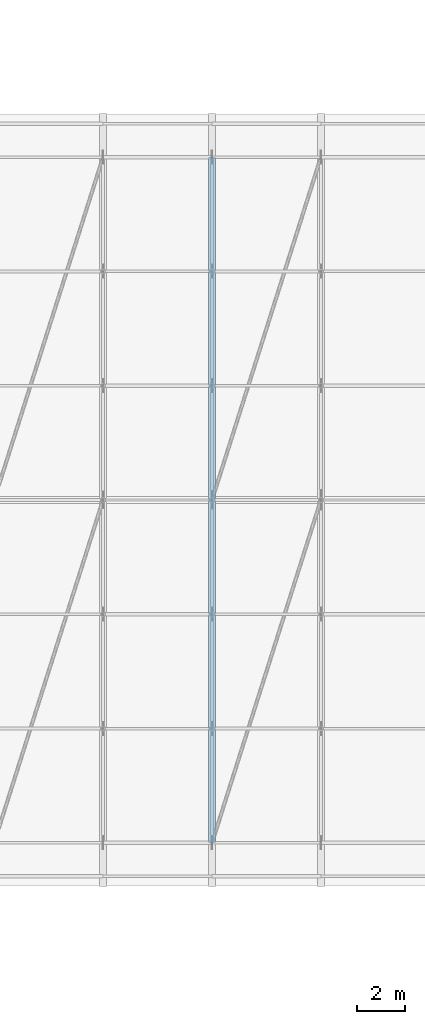
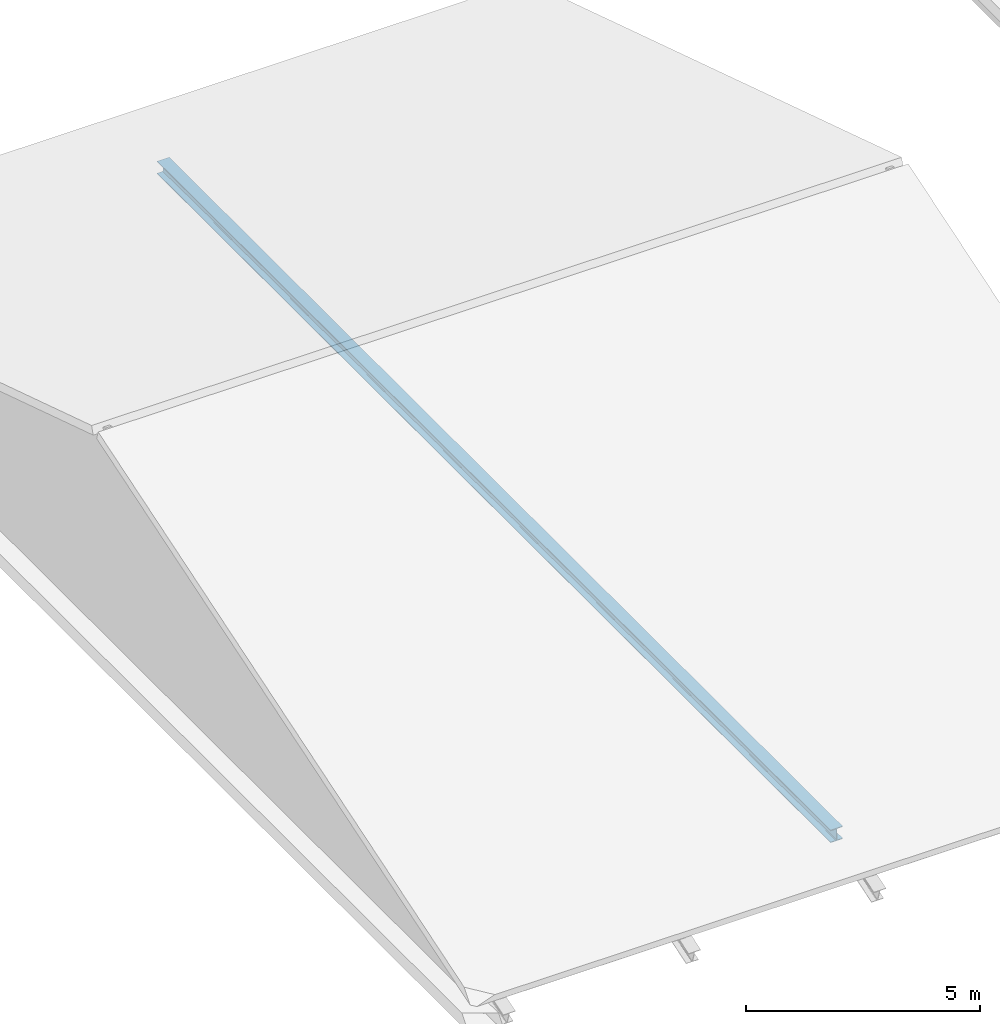
# One storey, part 26 of 134: 1 member.
"""IFC4 building model written with IfcOpenShell, lengths in metres."""

import ifcopenshell
import ifcopenshell.guid

model = None  # the IFC model being written
_history = None  # IfcOwnerHistory: only IFC2X3 demands one
_inside = {}  # id of a spatial element -> (the spatial element, [elements in it])
_under = {}  # id of a project, library or spatial element -> (it, [spatial elements below it])
_declared = {}  # id of a project -> (the project, [libraries it declares])
_typed = {}  # id of a type object -> (the type object, [elements of that type])
_made_of = {}  # id of a material, layer set ... -> (it, [elements and type objects made of it])


def new_model(schema):
    """Start an empty IFC model of exactly this schema.

    Asked for "IFC4X3", IfcOpenShell would pick the latest addendum, in which some entities
    have other attributes; the version numbers below select the first issue.
    IFC2X3 requires an IfcOwnerHistory on every rooted entity: one is made here for all.
    """
    global model, _history
    if schema == "IFC4X3":
        model = ifcopenshell.file(schema_version=(4, 3, 0, 0))
    else:
        model = ifcopenshell.file(schema=schema)
    _inside.clear()
    _under.clear()
    _declared.clear()
    _typed.clear()
    _made_of.clear()
    _history = None
    if model.schema == "IFC2X3":
        org = make("IfcOrganization", Name="unknown")
        user = make(
            "IfcPersonAndOrganization",
            ThePerson=make("IfcPerson", FamilyName="unknown"),
            TheOrganization=org,
        )
        app = make(
            "IfcApplication",
            ApplicationDeveloper=org,
            Version="unknown",
            ApplicationFullName="unknown",
            ApplicationIdentifier="unknown",
        )
        _history = make(
            "IfcOwnerHistory",
            OwningUser=user,
            OwningApplication=app,
            ChangeAction="ADDED",
            CreationDate=0,
        )
    return model


def make(cls, **values):
    """One entity of the class cls with the attributes given. An attribute that is None is left unset."""
    return model.create_entity(
        cls, **{name: value for name, value in values.items() if value is not None}
    )


def rooted(cls, **values):
    """An entity with a GlobalId (a new one), such as an element, a storey or a relation."""
    return make(cls, GlobalId=ifcopenshell.guid.new(), OwnerHistory=_history, **values)


def si_unit(unit_type, name, prefix=None):
    """IfcSIUnit, for example si_unit("LENGTHUNIT", "METRE", prefix="MILLI")."""
    return make("IfcSIUnit", UnitType=unit_type, Prefix=prefix, Name=name)


def assignment(units):
    """IfcUnitAssignment: the units of a project."""
    return None if units is None else make("IfcUnitAssignment", Units=units)


def point(xyz):
    """IfcCartesianPoint."""
    return None if xyz is None else make("IfcCartesianPoint", Coordinates=xyz)


def direction(xyz):
    """IfcDirection."""
    return None if xyz is None else make("IfcDirection", DirectionRatios=xyz)


def frame(location, z_axis=None, x_axis=None):
    """IfcAxis2Placement3D, a coordinate frame: its origin and axes. An axis left out is left unset."""
    return make(
        "IfcAxis2Placement3D",
        Location=point(location),
        Axis=direction(z_axis),
        RefDirection=direction(x_axis),
    )


def frame_2d(location, x_axis=None):
    """IfcAxis2Placement2D, a coordinate frame in the plane: its origin and x axis."""
    return make(
        "IfcAxis2Placement2D", Location=point(location), RefDirection=direction(x_axis)
    )


def origin():
    """The frame at (0, 0, 0) with its axes left unset."""
    return frame((0.0, 0.0, 0.0))


def origin_2d():
    """The frame at (0, 0) in the plane with its x axis left unset."""
    return frame_2d((0.0, 0.0))


def place(relative_to, where):
    """IfcLocalPlacement: puts the frame where relative to a parent placement (None: the world)."""
    return make(
        "IfcLocalPlacement", PlacementRelTo=relative_to, RelativePlacement=where
    )


def context(
    kind, dimensions, precision=None, world=None, true_north=None, identifier=None
):
    """IfcGeometricRepresentationContext, for example the 3D "Model" context."""
    return make(
        "IfcGeometricRepresentationContext",
        ContextIdentifier=identifier,
        ContextType=kind,
        CoordinateSpaceDimension=dimensions,
        Precision=precision,
        WorldCoordinateSystem=world,
        TrueNorth=true_north,
    )


def subcontext(parent, identifier, kind, view, scale=None):
    """IfcGeometricRepresentationSubContext, for example "Body" below "Model"."""
    return make(
        "IfcGeometricRepresentationSubContext",
        ContextIdentifier=identifier,
        ContextType=kind,
        ParentContext=parent,
        TargetScale=scale,
        TargetView=view,
    )


def project(units=None, contexts=None):
    """IfcProject with its units and contexts."""
    return rooted(
        "IfcProject",
        Name="project",
        RepresentationContexts=contexts,
        UnitsInContext=assignment(units),
    )


def spatial(cls, under=None, at=None, **own):
    """A site, building, storey or space (cls), placed at a placement, below another one or the project."""
    s = rooted(cls, ObjectPlacement=at, **own)
    if under is not None:
        _under.setdefault(under.id(), (under, []))[1].append(s)
    return s


def profile(cls, at=None, kind="AREA", **sizes):
    """A parametric profile (cls). Its sizes go by their IFC names, for example OverallWidth=200.0."""
    return make(cls, ProfileType=kind, Position=at, **sizes)


def i_section(**sizes):
    """IfcIShapeProfileDef."""
    return profile("IfcIShapeProfileDef", **sizes)


def extrude(swept, where, along, depth):
    """IfcExtrudedAreaSolid: the profile swept, set in the frame where, extruded along a direction by depth."""
    return make(
        "IfcExtrudedAreaSolid",
        SweptArea=swept,
        Position=where,
        ExtrudedDirection=direction(along),
        Depth=depth,
    )


def shape(context_of_items, identifier, shape_type, items):
    """IfcShapeRepresentation: the items that make up one representation, for example the "Body"."""
    return make(
        "IfcShapeRepresentation",
        ContextOfItems=context_of_items,
        RepresentationIdentifier=identifier,
        RepresentationType=shape_type,
        Items=items,
    )


def material(Name=None, Category=None):
    """IfcMaterial."""
    return make("IfcMaterial", Name=Name, Category=Category)


def material_profile(
    of_material, cross_section, Name=None, Category=None, Priority=None
):
    """IfcMaterialProfile: a cross section and its material."""
    return make(
        "IfcMaterialProfile",
        Name=Name,
        Material=of_material,
        Profile=cross_section,
        Priority=Priority,
        Category=Category,
    )


def profile_set(profiles, Name=None, composite=None):
    """IfcMaterialProfileSet."""
    return make(
        "IfcMaterialProfileSet",
        Name=Name,
        MaterialProfiles=profiles,
        CompositeProfile=composite,
    )


def made_of(thing, what):
    """Note that an element or type object is made of a material, layer set ...; save() writes the relation."""
    if what is not None:
        _made_of.setdefault(what.id(), (what, []))[1].append(thing)
    return thing


def type_object(cls, material=None, **own):
    """A type object (cls), such as IfcWallType, which elements share."""
    return made_of(rooted(cls, **own), material)


def element(
    cls,
    number,
    at=None,
    inside=None,
    cuts=None,
    type_object=None,
    material=None,
    context=None,
    identifier="Body",
    shape_type=None,
    held_by="IfcProductDefinitionShape",
    body=None,
    shapes=None,
    **own,
):
    """One element of the class cls, such as IfcWall. Its Tag is "e" and its number.

    at: its placement. inside: the storey or other place that contains it. cuts: it is an
    opening in that element (IfcRelVoidsElement). A single representation is given by context,
    identifier, shape_type and body (its items); several are given by shapes. held_by: the class
    of the entity that holds the representations. save() writes the other relations.
    """
    e = rooted(cls, Tag="e%d" % number, ObjectPlacement=at, **own)
    if body is not None:
        shapes = [shape(context, identifier, shape_type, body)]
    if shapes is not None:
        e.Representation = make(held_by, Representations=shapes)
    if inside is not None:
        _inside.setdefault(inside.id(), (inside, []))[1].append(e)
    if cuts is not None:
        rooted(
            "IfcRelVoidsElement", RelatingBuildingElement=cuts, RelatedOpeningElement=e
        )
    if type_object is not None:
        _typed.setdefault(type_object.id(), (type_object, []))[1].append(e)
    return made_of(e, material)


def aggregate(whole, parts):
    """IfcRelAggregates: a whole, such as a stair, and the parts it consists of."""
    return rooted("IfcRelAggregates", RelatingObject=whole, RelatedObjects=parts)


def save(model, path):
    """Write the relations noted so far, then the file.

    IfcRelAggregates (storeys below a building ...), IfcRelContainedInSpatialStructure (elements
    in a storey), IfcRelDefinesByType, IfcRelAssociatesMaterial and IfcRelDeclares: one each for
    every whole, place, type object, material and project.
    """
    for whole, parts in _under.values():
        aggregate(whole, parts)
    for where, things in _inside.values():
        rooted(
            "IfcRelContainedInSpatialStructure",
            RelatedElements=things,
            RelatingStructure=where,
        )
    for kind, things in _typed.values():
        rooted("IfcRelDefinesByType", RelatedObjects=things, RelatingType=kind)
    for what, things in _made_of.values():
        rooted("IfcRelAssociatesMaterial", RelatedObjects=things, RelatingMaterial=what)
    for by, libraries in _declared.values():
        rooted("IfcRelDeclares", RelatingContext=by, RelatedDefinitions=libraries)
    model.write(path)


model = new_model("IFC4")

# Units and contexts
model_context = context("Model", 3, precision=1e-05, world=origin(), true_north=direction((0.0, 1.0)))
body_context = subcontext(model_context, "Body", "Model", "MODEL_VIEW")
ifc_project = project(units=[si_unit("LENGTHUNIT", "METRE"), si_unit("AREAUNIT", "SQUARE_METRE"), si_unit("VOLUMEUNIT", "CUBIC_METRE"), si_unit("PLANEANGLEUNIT", "RADIAN"), si_unit("MASSUNIT", "GRAM", prefix="KILO")], contexts=[model_context])

# Site, building, storey
site_placement = place(None, origin())
site = spatial("IfcSite", under=ifc_project, at=site_placement, CompositionType="ELEMENT")
building_placement = place(site_placement, origin())
building = spatial("IfcBuilding", under=site, at=building_placement, Name="Asteropetra Specialist Clinic", CompositionType="ELEMENT")
storey_placement = place(building_placement, frame((0.0, 0.0, 8.5)))
storey = spatial("IfcBuildingStorey", under=building, at=storey_placement, Name="L02", CompositionType="ELEMENT", Elevation=8.5)

# Member
ifc_material = material(Name="Steel S355", Category="steel")
ifc_material_profile = material_profile(ifc_material, i_section(OverallWidth=0.300048828125, OverallDepth=0.330078125, WebThickness=0.009521484375, FlangeThickness=0.0166015625, FilletRadius=0.027099609375, at=origin_2d()), Name="HEA 340")
ifc_profile_set = profile_set([ifc_material_profile], Name="Steel S355")
member_type = type_object("IfcMemberType", Name="TR-CHD-HEA340", PredefinedType="CHORD", material=ifc_profile_set)
member_placement = place(storey_placement, frame((86.39990234375, 33.60009765625, 0.364990234375), z_axis=(0.0, 1.0, 0.0), x_axis=(-1.0, 0.0, 0.0)))
element("IfcMember", 1, at=member_placement, inside=storey, type_object=member_type, Name="Truss Bottom Chord TRV3-BC03", PredefinedType="CHORD", context=body_context, shape_type="SweptSolid", body=[
    extrude(i_section(OverallWidth=0.300048828125, OverallDepth=0.330078125, WebThickness=0.009521484375, FlangeThickness=0.0166015625, FilletRadius=0.027099609375, at=origin_2d()), origin(), (0.0, 0.0, 1.0), 28.7998046875),
])

save(model, "model.ifc")
